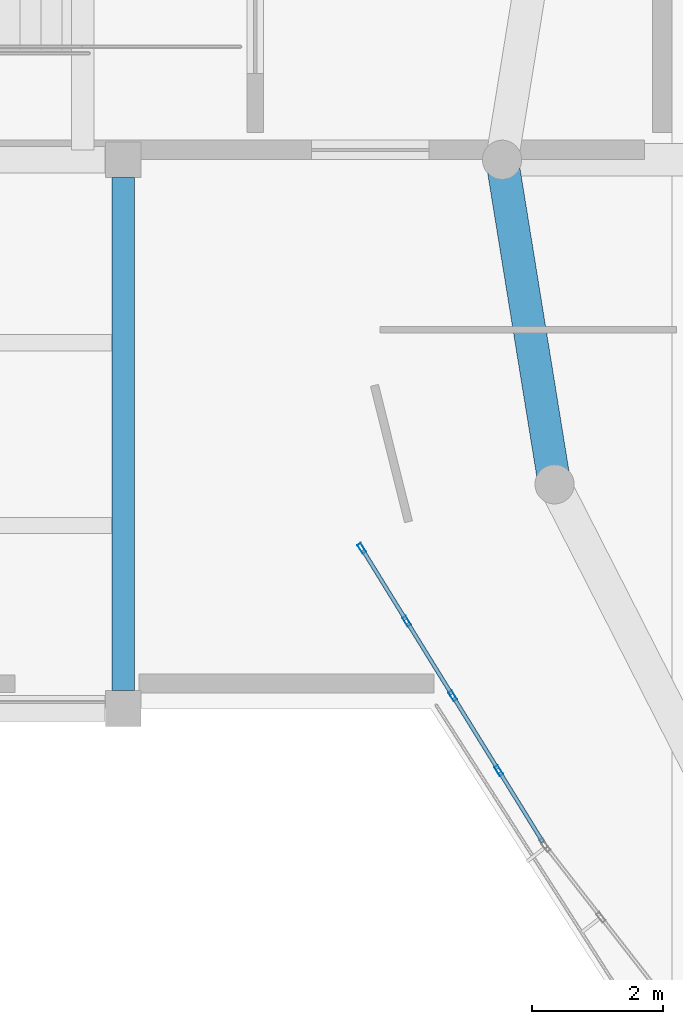
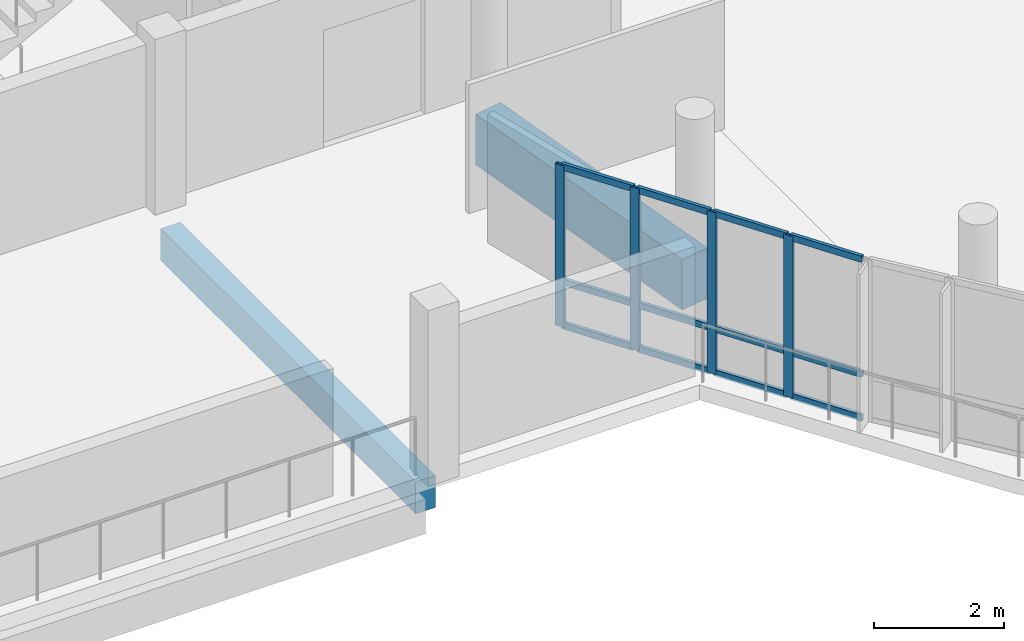
# One storey, part 11 of 43: 16 members, 2 beams, 1 element without a shape of its own.
"""IFC4 building model written with IfcOpenShell, lengths in metres."""

import ifcopenshell
import ifcopenshell.guid

model = None  # the IFC model being written
_history = None  # IfcOwnerHistory: only IFC2X3 demands one
_inside = {}  # id of a spatial element -> (the spatial element, [elements in it])
_under = {}  # id of a project, library or spatial element -> (it, [spatial elements below it])
_declared = {}  # id of a project -> (the project, [libraries it declares])
_typed = {}  # id of a type object -> (the type object, [elements of that type])
_made_of = {}  # id of a material, layer set ... -> (it, [elements and type objects made of it])


def new_model(schema):
    """Start an empty IFC model of exactly this schema.

    Asked for "IFC4X3", IfcOpenShell would pick the latest addendum, in which some entities
    have other attributes; the version numbers below select the first issue.
    IFC2X3 requires an IfcOwnerHistory on every rooted entity: one is made here for all.
    """
    global model, _history
    if schema == "IFC4X3":
        model = ifcopenshell.file(schema_version=(4, 3, 0, 0))
    else:
        model = ifcopenshell.file(schema=schema)
    _inside.clear()
    _under.clear()
    _declared.clear()
    _typed.clear()
    _made_of.clear()
    _history = None
    if model.schema == "IFC2X3":
        org = make("IfcOrganization", Name="unknown")
        user = make(
            "IfcPersonAndOrganization",
            ThePerson=make("IfcPerson", FamilyName="unknown"),
            TheOrganization=org,
        )
        app = make(
            "IfcApplication",
            ApplicationDeveloper=org,
            Version="unknown",
            ApplicationFullName="unknown",
            ApplicationIdentifier="unknown",
        )
        _history = make(
            "IfcOwnerHistory",
            OwningUser=user,
            OwningApplication=app,
            ChangeAction="ADDED",
            CreationDate=0,
        )
    return model


def make(cls, **values):
    """One entity of the class cls with the attributes given. An attribute that is None is left unset."""
    return model.create_entity(
        cls, **{name: value for name, value in values.items() if value is not None}
    )


def rooted(cls, **values):
    """An entity with a GlobalId (a new one), such as an element, a storey or a relation."""
    return make(cls, GlobalId=ifcopenshell.guid.new(), OwnerHistory=_history, **values)


def si_unit(unit_type, name, prefix=None):
    """IfcSIUnit, for example si_unit("LENGTHUNIT", "METRE", prefix="MILLI")."""
    return make("IfcSIUnit", UnitType=unit_type, Prefix=prefix, Name=name)


def derived_unit(unit_type, elements):
    """IfcDerivedUnit: a product of units, each with its exponent."""
    return make(
        "IfcDerivedUnit",
        Elements=[
            make("IfcDerivedUnitElement", Unit=unit, Exponent=power)
            for unit, power in elements
        ],
        UnitType=unit_type,
    )


def assignment(units):
    """IfcUnitAssignment: the units of a project."""
    return None if units is None else make("IfcUnitAssignment", Units=units)


def point(xyz):
    """IfcCartesianPoint."""
    return None if xyz is None else make("IfcCartesianPoint", Coordinates=xyz)


def direction(xyz):
    """IfcDirection."""
    return None if xyz is None else make("IfcDirection", DirectionRatios=xyz)


def frame(location, z_axis=None, x_axis=None):
    """IfcAxis2Placement3D, a coordinate frame: its origin and axes. An axis left out is left unset."""
    return make(
        "IfcAxis2Placement3D",
        Location=point(location),
        Axis=direction(z_axis),
        RefDirection=direction(x_axis),
    )


def frame_2d(location, x_axis=None):
    """IfcAxis2Placement2D, a coordinate frame in the plane: its origin and x axis."""
    return make(
        "IfcAxis2Placement2D", Location=point(location), RefDirection=direction(x_axis)
    )


def origin():
    """The frame at (0, 0, 0) with its axes left unset."""
    return frame((0.0, 0.0, 0.0))


def origin_2d():
    """The frame at (0, 0) in the plane with its x axis left unset."""
    return frame_2d((0.0, 0.0))


def place(relative_to, where):
    """IfcLocalPlacement: puts the frame where relative to a parent placement (None: the world)."""
    return make(
        "IfcLocalPlacement", PlacementRelTo=relative_to, RelativePlacement=where
    )


def context(
    kind, dimensions, precision=None, world=None, true_north=None, identifier=None
):
    """IfcGeometricRepresentationContext, for example the 3D "Model" context."""
    return make(
        "IfcGeometricRepresentationContext",
        ContextIdentifier=identifier,
        ContextType=kind,
        CoordinateSpaceDimension=dimensions,
        Precision=precision,
        WorldCoordinateSystem=world,
        TrueNorth=true_north,
    )


def subcontext(parent, identifier, kind, view, scale=None):
    """IfcGeometricRepresentationSubContext, for example "Body" below "Model"."""
    return make(
        "IfcGeometricRepresentationSubContext",
        ContextIdentifier=identifier,
        ContextType=kind,
        ParentContext=parent,
        TargetScale=scale,
        TargetView=view,
    )


def project(units=None, contexts=None):
    """IfcProject with its units and contexts."""
    return rooted(
        "IfcProject",
        Name="project",
        RepresentationContexts=contexts,
        UnitsInContext=assignment(units),
    )


def spatial(cls, under=None, at=None, **own):
    """A site, building, storey or space (cls), placed at a placement, below another one or the project."""
    s = rooted(cls, ObjectPlacement=at, **own)
    if under is not None:
        _under.setdefault(under.id(), (under, []))[1].append(s)
    return s


def profile(cls, at=None, kind="AREA", **sizes):
    """A parametric profile (cls). Its sizes go by their IFC names, for example OverallWidth=200.0."""
    return make(cls, ProfileType=kind, Position=at, **sizes)


def rectangle(**sizes):
    """IfcRectangleProfileDef."""
    return profile("IfcRectangleProfileDef", **sizes)


def hollow_rectangle(**sizes):
    """IfcRectangleHollowProfileDef."""
    return profile("IfcRectangleHollowProfileDef", **sizes)


def extrude(swept, where, along, depth):
    """IfcExtrudedAreaSolid: the profile swept, set in the frame where, extruded along a direction by depth."""
    return make(
        "IfcExtrudedAreaSolid",
        SweptArea=swept,
        Position=where,
        ExtrudedDirection=direction(along),
        Depth=depth,
    )


def shape(context_of_items, identifier, shape_type, items):
    """IfcShapeRepresentation: the items that make up one representation, for example the "Body"."""
    return make(
        "IfcShapeRepresentation",
        ContextOfItems=context_of_items,
        RepresentationIdentifier=identifier,
        RepresentationType=shape_type,
        Items=items,
    )


def material(Name=None, Category=None):
    """IfcMaterial."""
    return make("IfcMaterial", Name=Name, Category=Category)


def layer(
    of_material, thickness, ventilated=None, Name=None, Category=None, Priority=None
):
    """IfcMaterialLayer: one layer of a wall or slab, of a material (None: an air gap)."""
    return make(
        "IfcMaterialLayer",
        Material=of_material,
        LayerThickness=thickness,
        IsVentilated=ventilated,
        Name=Name,
        Category=Category,
        Priority=Priority,
    )


def layer_set(layers, Name=None):
    """IfcMaterialLayerSet."""
    return make("IfcMaterialLayerSet", MaterialLayers=layers, LayerSetName=Name)


def material_profile(
    of_material, cross_section, Name=None, Category=None, Priority=None
):
    """IfcMaterialProfile: a cross section and its material."""
    return make(
        "IfcMaterialProfile",
        Name=Name,
        Material=of_material,
        Profile=cross_section,
        Priority=Priority,
        Category=Category,
    )


def profile_set(profiles, Name=None, composite=None):
    """IfcMaterialProfileSet."""
    return make(
        "IfcMaterialProfileSet",
        Name=Name,
        MaterialProfiles=profiles,
        CompositeProfile=composite,
    )


def made_of(thing, what):
    """Note that an element or type object is made of a material, layer set ...; save() writes the relation."""
    if what is not None:
        _made_of.setdefault(what.id(), (what, []))[1].append(thing)
    return thing


def type_object(cls, material=None, **own):
    """A type object (cls), such as IfcWallType, which elements share."""
    return made_of(rooted(cls, **own), material)


def element(
    cls,
    number,
    at=None,
    inside=None,
    cuts=None,
    type_object=None,
    material=None,
    context=None,
    identifier="Body",
    shape_type=None,
    held_by="IfcProductDefinitionShape",
    body=None,
    shapes=None,
    **own,
):
    """One element of the class cls, such as IfcWall. Its Tag is "e" and its number.

    at: its placement. inside: the storey or other place that contains it. cuts: it is an
    opening in that element (IfcRelVoidsElement). A single representation is given by context,
    identifier, shape_type and body (its items); several are given by shapes. held_by: the class
    of the entity that holds the representations. save() writes the other relations.
    """
    e = rooted(cls, Tag="e%d" % number, ObjectPlacement=at, **own)
    if body is not None:
        shapes = [shape(context, identifier, shape_type, body)]
    if shapes is not None:
        e.Representation = make(held_by, Representations=shapes)
    if inside is not None:
        _inside.setdefault(inside.id(), (inside, []))[1].append(e)
    if cuts is not None:
        rooted(
            "IfcRelVoidsElement", RelatingBuildingElement=cuts, RelatedOpeningElement=e
        )
    if type_object is not None:
        _typed.setdefault(type_object.id(), (type_object, []))[1].append(e)
    return made_of(e, material)


def aggregate(whole, parts):
    """IfcRelAggregates: a whole, such as a stair, and the parts it consists of."""
    return rooted("IfcRelAggregates", RelatingObject=whole, RelatedObjects=parts)


def save(model, path):
    """Write the relations noted so far, then the file.

    IfcRelAggregates (storeys below a building ...), IfcRelContainedInSpatialStructure (elements
    in a storey), IfcRelDefinesByType, IfcRelAssociatesMaterial and IfcRelDeclares: one each for
    every whole, place, type object, material and project.
    """
    for whole, parts in _under.values():
        aggregate(whole, parts)
    for where, things in _inside.values():
        rooted(
            "IfcRelContainedInSpatialStructure",
            RelatedElements=things,
            RelatingStructure=where,
        )
    for kind, things in _typed.values():
        rooted("IfcRelDefinesByType", RelatedObjects=things, RelatingType=kind)
    for what, things in _made_of.values():
        rooted("IfcRelAssociatesMaterial", RelatedObjects=things, RelatingMaterial=what)
    for by, libraries in _declared.values():
        rooted("IfcRelDeclares", RelatingContext=by, RelatedDefinitions=libraries)
    model.write(path)


model = new_model("IFC4")

# Units and contexts
model_context = context("Model", 3, precision=1e-05, world=origin(), true_north=direction((0.0, 1.0)))
body_context = subcontext(model_context, "Body", "Model", "MODEL_VIEW")
ifc_project = project(units=[si_unit("LENGTHUNIT", "METRE"), si_unit("AREAUNIT", "SQUARE_METRE"), si_unit("VOLUMEUNIT", "CUBIC_METRE"), si_unit("PLANEANGLEUNIT", "RADIAN"), si_unit("MASSUNIT", "GRAM", prefix="KILO"), derived_unit("THERMALTRANSMITTANCEUNIT", [(si_unit("POWERUNIT", "WATT"), 1), (si_unit("LENGTHUNIT", "METRE"), -2), (si_unit("THERMODYNAMICTEMPERATUREUNIT", "KELVIN"), -1)])], contexts=[model_context])

# Site, building, storey
site_placement = place(None, origin())
site = spatial("IfcSite", under=ifc_project, at=site_placement, CompositionType="ELEMENT")
building_placement = place(site_placement, origin())
building = spatial("IfcBuilding", under=site, at=building_placement, Name="Elbkamm Science Centre", CompositionType="ELEMENT")
storey_placement = place(building_placement, frame((0.0, 0.0, 18.300048828125)))
storey = spatial("IfcBuildingStorey", under=building, at=storey_placement, Name="L04", CompositionType="ELEMENT", Elevation=18.300048828125)

# Beams
ifc_material_1 = material(Name="Concrete C40/50", Category="concrete")
ifc_material_profile_1 = material_profile(ifc_material_1, rectangle(XDim=0.35009765625, YDim=0.60009765625, at=origin_2d()), Name="RC 350x600")
ifc_profile_set_1 = profile_set([ifc_material_profile_1], Name="Concrete C40/50")
beam_type_1 = type_object("IfcBeamType", Name="BM-RC-350x600", PredefinedType="BEAM", material=ifc_profile_set_1)
beam_1_placement = place(storey_placement, frame((33.60009765625, 59.074951171875, -0.580078125), z_axis=(0.0, 1.0, 0.0), x_axis=(-1.0, 0.0, 0.0)))
element("IfcBeam", 1, at=beam_1_placement, inside=storey, type_object=beam_type_1, Name="L04 Primary Y-Girder 002", PredefinedType="BEAM", context=body_context, shape_type="SweptSolid", body=[
    extrude(rectangle(XDim=0.35009765625, YDim=0.60009765625, at=origin_2d()), origin(), (0.0, 0.0, 1.0), 7.85009765625),
])
ifc_material_profile_2 = material_profile(ifc_material_1, rectangle(XDim=0.5, YDim=0.949951171875, at=origin_2d()), Name="RC 500x950")
ifc_profile_set_2 = profile_set([ifc_material_profile_2], Name="Concrete C40/50")
beam_type_2 = type_object("IfcBeamType", Name="BM-RC-500x950", PredefinedType="BEAM", material=ifc_profile_set_2)
beam_2_placement = place(storey_placement, frame((39.39990234375, 67.199951171875, -0.755126953125), z_axis=(0.15976460627, -0.987155140078, 0.0), x_axis=(0.987155140078, 0.15976460627, 0.0)))
element("IfcBeam", 2, at=beam_2_placement, inside=storey, type_object=beam_type_2, Name="L04 Elliptical Shell Perimeter Ring Beam 13", PredefinedType="SPANDREL", context=body_context, shape_type="SweptSolid", body=[
    extrude(rectangle(XDim=0.5, YDim=0.949951171875, at=origin_2d()), origin(), (0.0, 0.0, 1.0), 5.03369140625),
])

# Curtain wall, members
ifc_material_2 = material(Name="Powder-coated aluminium and triple low-E glazing", Category="aluminium")
ifc_layer = layer(ifc_material_2, 0.159912109375)
ifc_layer_set = layer_set([ifc_layer], Name="Powder-coated aluminium and triple low-E glazing")
curtain_wall_type = type_object("IfcCurtainWallType", Name="CW-UNIT-5360x3040", PredefinedType="USERDEFINED", material=ifc_layer_set)
curtain_wall_placement = place(storey_placement, origin())
curtain_wall = element("IfcCurtainWall", 3, at=curtain_wall_placement, inside=storey, type_object=curtain_wall_type, Name="L04 Unitised Curtain Wall 090", ObjectType="UNITISED CURTAIN WALL", PredefinedType="USERDEFINED")
ifc_material_3 = material(Name="Powder-coated aluminium EN AW-6060", Category="aluminium")
ifc_material_profile_3 = material_profile(ifc_material_3, hollow_rectangle(XDim=0.06005859375, YDim=0.159912109375, WallThickness=0.00390625, at=origin_2d()), Name="ALU M60x160")
ifc_profile_set_3 = profile_set([ifc_material_profile_3], Name="Powder-coated aluminium EN AW-6060")
member_type_1 = type_object("IfcMemberType", Name="CW-MUL-60x160", PredefinedType="MULLION", material=ifc_profile_set_3)
member_1_placement = place(storey_placement, frame((37.251953125, 61.249267578125, 0.0), z_axis=(0.0, 0.0, 1.0), x_axis=(0.85114742283, 0.524926723085, 0.0)))
member_1 = element("IfcMember", 4, at=member_1_placement, type_object=member_type_1, Name="CW-043 mullion 1", PredefinedType="MULLION", context=body_context, shape_type="SweptSolid", body=[
    extrude(hollow_rectangle(XDim=0.06005859375, YDim=0.159912109375, WallThickness=0.00390625, at=origin_2d()), origin(), (0.0, 0.0, 1.0), 3.0400390625),
])
member_2_placement = place(storey_placement, frame((37.940673828125, 60.1328125, 0.0), z_axis=(0.0, 0.0, 1.0), x_axis=(0.85114742283, 0.524926723085, 0.0)))
member_2 = element("IfcMember", 5, at=member_2_placement, type_object=member_type_1, Name="CW-043 mullion 2", PredefinedType="MULLION", context=body_context, shape_type="SweptSolid", body=[
    extrude(hollow_rectangle(XDim=0.06005859375, YDim=0.159912109375, WallThickness=0.00390625, at=origin_2d()), origin(), (0.0, 0.0, 1.0), 3.0400390625),
])
member_3_placement = place(storey_placement, frame((38.64501953125, 58.99072265625, 0.0), z_axis=(0.0, 0.0, 1.0), x_axis=(0.85114742283, 0.524926723085, 0.0)))
member_3 = element("IfcMember", 6, at=member_3_placement, type_object=member_type_1, Name="CW-043 mullion 3", PredefinedType="MULLION", context=body_context, shape_type="SweptSolid", body=[
    extrude(hollow_rectangle(XDim=0.06005859375, YDim=0.159912109375, WallThickness=0.00390625, at=origin_2d()), origin(), (0.0, 0.0, 1.0), 3.0400390625),
])
member_4_placement = place(storey_placement, frame((39.349365234375, 57.8486328125, 0.0), z_axis=(0.0, 0.0, 1.0), x_axis=(0.85114742283, 0.524926723085, 0.0)))
member_4 = element("IfcMember", 7, at=member_4_placement, type_object=member_type_1, Name="CW-043 mullion 4", PredefinedType="MULLION", context=body_context, shape_type="SweptSolid", body=[
    extrude(hollow_rectangle(XDim=0.06005859375, YDim=0.159912109375, WallThickness=0.00390625, at=origin_2d()), origin(), (0.0, 0.0, 1.0), 3.0400390625),
])
ifc_material_profile_4 = material_profile(ifc_material_3, hollow_rectangle(XDim=0.06005859375, YDim=0.1201171875, WallThickness=0.00341796875, at=origin_2d()), Name="ALU T60x120")
ifc_profile_set_4 = profile_set([ifc_material_profile_4], Name="Powder-coated aluminium EN AW-6060")
member_type_2 = type_object("IfcMemberType", Name="CW-TRN-60x120", PredefinedType="USERDEFINED", material=ifc_profile_set_4)
member_5_placement = place(storey_placement, frame((37.267822265625, 61.223876953125, 0.030029296875), z_axis=(0.524869861598, -0.851182488299, 0.0), x_axis=(0.851182488299, 0.524869861598, 0.0)))
member_5 = element("IfcMember", 8, at=member_5_placement, type_object=member_type_2, Name="CW-043 transom 1.1", ObjectType="TRANSOM", PredefinedType="USERDEFINED", context=body_context, shape_type="SweptSolid", body=[
    extrude(hollow_rectangle(XDim=0.06005859375, YDim=0.1201171875, WallThickness=0.00341796875, at=origin_2d()), origin(), (0.0, 0.0, 1.0), 1.251708984375),
])
member_6_placement = place(storey_placement, frame((37.267822265625, 61.223876953125, 0.849853515625), z_axis=(0.524869861598, -0.851182488299, 0.0), x_axis=(0.851182488299, 0.524869861598, 0.0)))
member_6 = element("IfcMember", 9, at=member_6_placement, type_object=member_type_2, Name="CW-043 transom 1.2", ObjectType="TRANSOM", PredefinedType="USERDEFINED", context=body_context, shape_type="SweptSolid", body=[
    extrude(hollow_rectangle(XDim=0.06005859375, YDim=0.1201171875, WallThickness=0.00341796875, at=origin_2d()), origin(), (0.0, 0.0, 1.0), 1.251708984375),
])
member_7_placement = place(storey_placement, frame((37.267822265625, 61.223876953125, 3.010009765625), z_axis=(0.524869861598, -0.851182488299, 0.0), x_axis=(0.851182488299, 0.524869861598, 0.0)))
member_7 = element("IfcMember", 10, at=member_7_placement, type_object=member_type_2, Name="CW-043 transom 1.3", ObjectType="TRANSOM", PredefinedType="USERDEFINED", context=body_context, shape_type="SweptSolid", body=[
    extrude(hollow_rectangle(XDim=0.06005859375, YDim=0.1201171875, WallThickness=0.00341796875, at=origin_2d()), origin(), (0.0, 0.0, 1.0), 1.251708984375),
])
member_8_placement = place(storey_placement, frame((37.956298828125, 60.107177734375, 0.030029296875), z_axis=(0.524989905381, -0.851108453282, 0.0), x_axis=(0.851108453282, 0.524989905381, 0.0)))
member_8 = element("IfcMember", 11, at=member_8_placement, type_object=member_type_2, Name="CW-043 transom 2.1", ObjectType="TRANSOM", PredefinedType="USERDEFINED", context=body_context, shape_type="SweptSolid", body=[
    extrude(hollow_rectangle(XDim=0.06005859375, YDim=0.1201171875, WallThickness=0.00341796875, at=origin_2d()), origin(), (0.0, 0.0, 1.0), 1.28173828125),
])
member_9_placement = place(storey_placement, frame((37.956298828125, 60.107177734375, 0.849853515625), z_axis=(0.524989905381, -0.851108453282, 0.0), x_axis=(0.851108453282, 0.524989905381, 0.0)))
member_9 = element("IfcMember", 12, at=member_9_placement, type_object=member_type_2, Name="CW-043 transom 2.2", ObjectType="TRANSOM", PredefinedType="USERDEFINED", context=body_context, shape_type="SweptSolid", body=[
    extrude(hollow_rectangle(XDim=0.06005859375, YDim=0.1201171875, WallThickness=0.00341796875, at=origin_2d()), origin(), (0.0, 0.0, 1.0), 1.28173828125),
])
member_10_placement = place(storey_placement, frame((37.956298828125, 60.107177734375, 3.010009765625), z_axis=(0.524989905381, -0.851108453282, 0.0), x_axis=(0.851108453282, 0.524989905381, 0.0)))
member_10 = element("IfcMember", 13, at=member_10_placement, type_object=member_type_2, Name="CW-043 transom 2.3", ObjectType="TRANSOM", PredefinedType="USERDEFINED", context=body_context, shape_type="SweptSolid", body=[
    extrude(hollow_rectangle(XDim=0.06005859375, YDim=0.1201171875, WallThickness=0.00341796875, at=origin_2d()), origin(), (0.0, 0.0, 1.0), 1.28173828125),
])
member_11_placement = place(storey_placement, frame((38.66064453125, 58.96533203125, 0.030029296875), z_axis=(0.524904801262, -0.85116094225, 0.0), x_axis=(0.85116094225, 0.524904801262, 0.0)))
member_11 = element("IfcMember", 14, at=member_11_placement, type_object=member_type_2, Name="CW-043 transom 3.1", ObjectType="TRANSOM", PredefinedType="USERDEFINED", context=body_context, shape_type="SweptSolid", body=[
    extrude(hollow_rectangle(XDim=0.06005859375, YDim=0.1201171875, WallThickness=0.00341796875, at=origin_2d()), origin(), (0.0, 0.0, 1.0), 1.28173828125),
])
member_12_placement = place(storey_placement, frame((38.66064453125, 58.96533203125, 0.849853515625), z_axis=(0.524904801262, -0.85116094225, 0.0), x_axis=(0.85116094225, 0.524904801262, 0.0)))
member_12 = element("IfcMember", 15, at=member_12_placement, type_object=member_type_2, Name="CW-043 transom 3.2", ObjectType="TRANSOM", PredefinedType="USERDEFINED", context=body_context, shape_type="SweptSolid", body=[
    extrude(hollow_rectangle(XDim=0.06005859375, YDim=0.1201171875, WallThickness=0.00341796875, at=origin_2d()), origin(), (0.0, 0.0, 1.0), 1.28173828125),
])
member_13_placement = place(storey_placement, frame((38.66064453125, 58.96533203125, 3.010009765625), z_axis=(0.524904801262, -0.85116094225, 0.0), x_axis=(0.85116094225, 0.524904801262, 0.0)))
member_13 = element("IfcMember", 16, at=member_13_placement, type_object=member_type_2, Name="CW-043 transom 3.3", ObjectType="TRANSOM", PredefinedType="USERDEFINED", context=body_context, shape_type="SweptSolid", body=[
    extrude(hollow_rectangle(XDim=0.06005859375, YDim=0.1201171875, WallThickness=0.00341796875, at=origin_2d()), origin(), (0.0, 0.0, 1.0), 1.28173828125),
])
member_14_placement = place(storey_placement, frame((39.364990234375, 57.8232421875, 0.030029296875), z_axis=(0.524924020447, -0.851149089618, 0.0), x_axis=(0.851149089618, 0.524924020447, 0.0)))
member_14 = element("IfcMember", 17, at=member_14_placement, type_object=member_type_2, Name="CW-043 transom 4.1", ObjectType="TRANSOM", PredefinedType="USERDEFINED", context=body_context, shape_type="SweptSolid", body=[
    extrude(hollow_rectangle(XDim=0.06005859375, YDim=0.1201171875, WallThickness=0.00341796875, at=origin_2d()), origin(), (0.0, 0.0, 1.0), 1.251953125),
])
member_15_placement = place(storey_placement, frame((39.364990234375, 57.8232421875, 0.849853515625), z_axis=(0.524924020447, -0.851149089618, 0.0), x_axis=(0.851149089618, 0.524924020447, 0.0)))
member_15 = element("IfcMember", 18, at=member_15_placement, type_object=member_type_2, Name="CW-043 transom 4.2", ObjectType="TRANSOM", PredefinedType="USERDEFINED", context=body_context, shape_type="SweptSolid", body=[
    extrude(hollow_rectangle(XDim=0.06005859375, YDim=0.1201171875, WallThickness=0.00341796875, at=origin_2d()), origin(), (0.0, 0.0, 1.0), 1.251953125),
])
member_16_placement = place(storey_placement, frame((39.364990234375, 57.8232421875, 3.010009765625), z_axis=(0.524924020447, -0.851149089618, 0.0), x_axis=(0.851149089618, 0.524924020447, 0.0)))
member_16 = element("IfcMember", 19, at=member_16_placement, type_object=member_type_2, Name="CW-043 transom 4.3", ObjectType="TRANSOM", PredefinedType="USERDEFINED", context=body_context, shape_type="SweptSolid", body=[
    extrude(hollow_rectangle(XDim=0.06005859375, YDim=0.1201171875, WallThickness=0.00341796875, at=origin_2d()), origin(), (0.0, 0.0, 1.0), 1.251953125),
])
aggregate(curtain_wall, [member_1, member_2, member_3, member_4, member_5, member_6, member_7, member_8, member_9, member_10, member_11, member_12, member_13, member_14, member_15, member_16])

save(model, "model.ifc")
